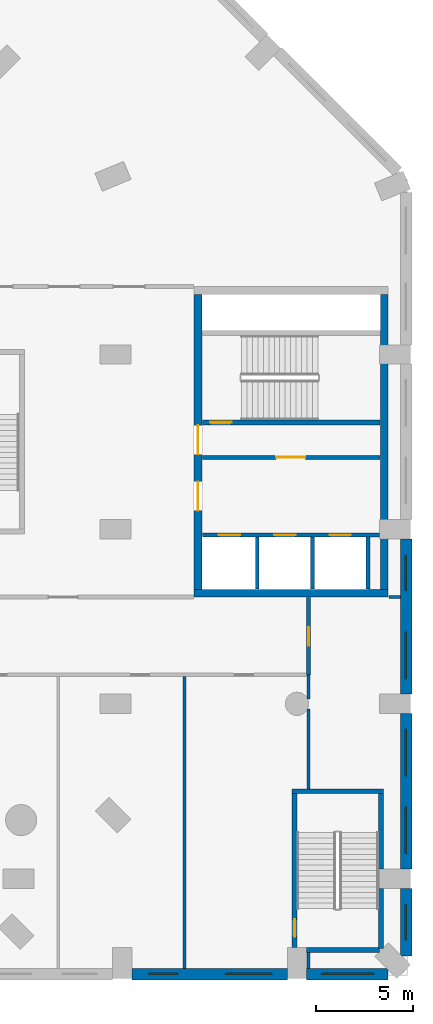
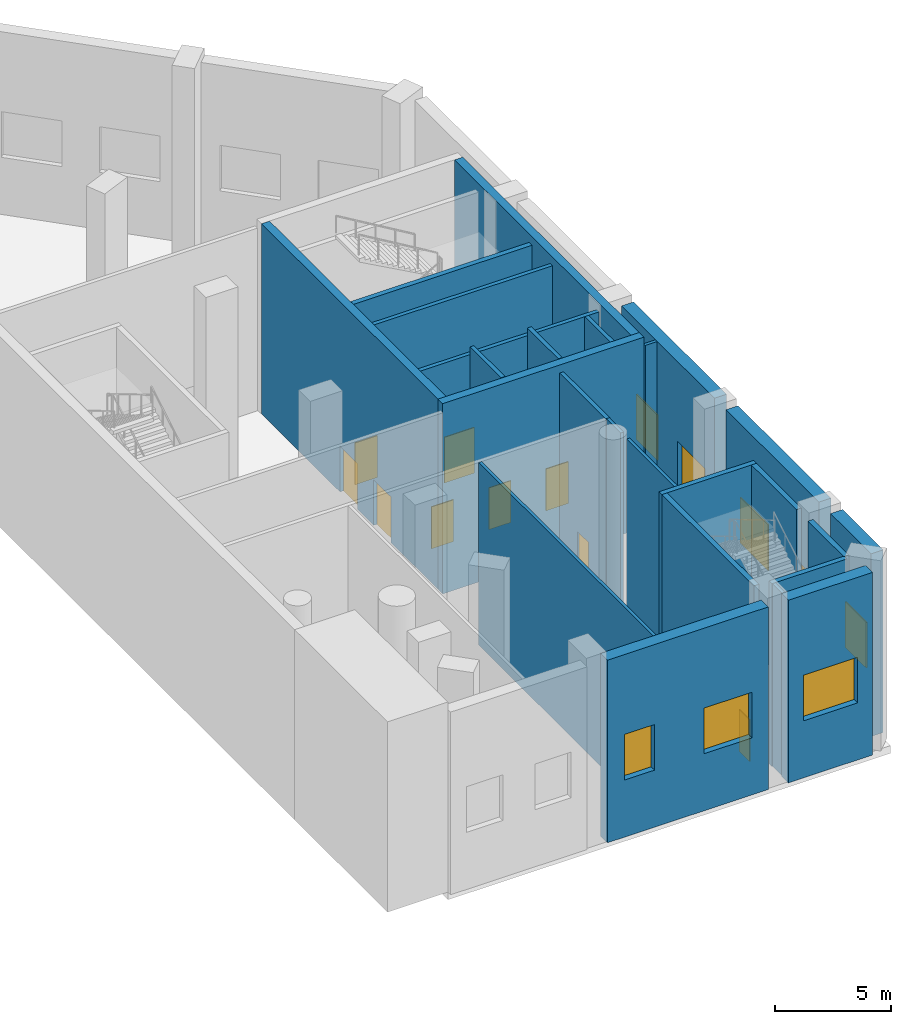
# One storey, part 8 of 17: 25 walls, 9 doors, 8 windows, 17 openings.
"""IFC4 building model written with IfcOpenShell, lengths in metres."""

from ifc_helpers import new_model, si_unit, direction, frame, frame_2d, origin, place, context, subcontext, project, spatial, rectangle, extrude, material, layer, layer_set, type_object, element, fill, save


model = new_model("IFC4")

# Units and contexts
model_context = context("Model", 3, precision=1e-05, world=origin(), true_north=direction((0.0, 1.0)))
body_context = subcontext(model_context, "Body", "Model", "MODEL_VIEW")
ifc_project = project(units=[si_unit("LENGTHUNIT", "METRE"), si_unit("AREAUNIT", "SQUARE_METRE"), si_unit("VOLUMEUNIT", "CUBIC_METRE"), si_unit("PLANEANGLEUNIT", "RADIAN"), si_unit("MASSUNIT", "GRAM", prefix="KILO")], contexts=[model_context])

# Site, building, storey
site_placement = place(None, origin())
site = spatial("IfcSite", under=ifc_project, at=site_placement, CompositionType="ELEMENT")
building_placement = place(site_placement, origin())
building = spatial("IfcBuilding", under=site, at=building_placement, Name="Cypress Arch Tower", CompositionType="ELEMENT")
storey_placement = place(building_placement, frame((0.0, 0.0, 19.0)))
storey = spatial("IfcBuildingStorey", under=building, at=storey_placement, Name="L02", CompositionType="ELEMENT", Elevation=19.0)

# Wall, openings, windows
ifc_material_1 = material(Name="Brick (red buff blend) on blockwork backing", Category="masonry")
ifc_layer_1 = layer(ifc_material_1, 0.60009765625)
ifc_layer_set_1 = layer_set([ifc_layer_1], Name="Brick base wall BW600")
wall_type_1 = type_object("IfcWallType", Name="Brick base wall BW600", PredefinedType="ELEMENTEDWALL", material=ifc_layer_set_1)
wall_1_placement = place(storey_placement, frame((24.800048828125, -27.425048828125, 0.0), z_axis=(0.0, 0.0, 1.0), x_axis=(1.0, 0.0, 0.0)))
wall_1 = element("IfcWall", 1, at=wall_1_placement, inside=storey, type_object=wall_type_1, Name="Brick wall L02 P00.3", PredefinedType="ELEMENTEDWALL", context=body_context, shape_type="SweptSolid", body=[
    extrude(rectangle(XDim=8.0, YDim=0.60009765625, at=frame_2d((4.0, 0.0))), origin(), (0.0, 0.0, 1.0), 9.60009765625),
])
opening_1_placement = place(wall_1_placement, frame((4.800048828125, 0.0, 3.0)))
opening_1 = element("IfcOpeningElement", 2, at=opening_1_placement, cuts=wall_1, Name="Opening W240P", PredefinedType="OPENING", context=body_context, shape_type="SweptSolid", body=[
    extrude(rectangle(XDim=2.39990234375, YDim=2.39990234375, at=frame_2d((1.199951171875, 1.199951171875))), frame((0.0, 0.31005859375, 0.0), z_axis=(0.0, -1.0, 0.0), x_axis=(1.0, 0.0, 0.0)), (0.0, 0.0, 1.0), 0.6201171875),
])
opening_2_placement = place(wall_1_placement, frame((0.85009765625, 0.0, 3.0)))
opening_2 = element("IfcOpeningElement", 3, at=opening_2_placement, cuts=wall_1, Name="Opening W150P", PredefinedType="OPENING", context=body_context, shape_type="SweptSolid", body=[
    extrude(rectangle(XDim=1.5, YDim=2.39990234375, at=frame_2d((0.75, 1.199951171875))), frame((0.0, 0.31005859375, 0.0), z_axis=(0.0, -1.0, 0.0), x_axis=(1.0, 0.0, 0.0)), (0.0, 0.0, 1.0), 0.6201171875),
])
ifc_material_2 = material(Name="Anodised aluminium, bronze finish, clear low-emissivity double glazing", Category="aluminium")
window_type_1 = type_object("IfcWindowType", Name="Window Podium 1500x2400", PartitioningType="SINGLE_PANEL", PredefinedType="WINDOW", material=ifc_material_2)
window_1_placement = place(opening_2_placement, origin())
window_1 = element("IfcWindow", 4, at=window_1_placement, inside=storey, type_object=window_type_1, Name="Window L02 P00.3.1", OverallHeight=2.39990234375, OverallWidth=1.5, PartitioningType="SINGLE_PANEL", PredefinedType="WINDOW", context=body_context, shape_type="SweptSolid", body=[
    extrude(rectangle(XDim=1.5, YDim=2.39990234375, at=frame_2d((0.75, 1.199951171875))), frame((0.0, 0.06005859375, 0.0), z_axis=(0.0, -1.0, 0.0), x_axis=(1.0, 0.0, 0.0)), (0.0, 0.0, 1.0), 0.06005859375),
])
fill(opening_2, window_1)
ifc_material_3 = material(Name="Anodised aluminium, bronze finish, clear low-emissivity double glazing", Category="aluminium")
window_type_2 = type_object("IfcWindowType", Name="Window Podium 2400x2400", PartitioningType="SINGLE_PANEL", PredefinedType="WINDOW", material=ifc_material_3)
window_2_placement = place(opening_1_placement, origin())
window_2 = element("IfcWindow", 5, at=window_2_placement, inside=storey, type_object=window_type_2, Name="Window L02 P00.3.2", OverallHeight=2.39990234375, OverallWidth=2.39990234375, PartitioningType="SINGLE_PANEL", PredefinedType="WINDOW", context=body_context, shape_type="SweptSolid", body=[
    extrude(rectangle(XDim=2.39990234375, YDim=2.39990234375, at=frame_2d((1.199951171875, 1.199951171875))), frame((0.0, 0.06005859375, 0.0), z_axis=(0.0, -1.0, 0.0), x_axis=(1.0, 0.0, 0.0)), (0.0, 0.0, 1.0), 0.06005859375),
])
fill(opening_1, window_2)

# Wall, opening, window
wall_2_placement = place(storey_placement, frame((33.800048828125, -27.425048828125, 0.0), z_axis=(0.0, 0.0, 1.0), x_axis=(1.0, 0.0, 0.0)))
wall_2 = element("IfcWall", 6, at=wall_2_placement, inside=storey, type_object=wall_type_1, Name="Brick wall L02 P00.4", PredefinedType="ELEMENTEDWALL", context=body_context, shape_type="SweptSolid", body=[
    extrude(rectangle(XDim=4.19287109375, YDim=0.60009765625, at=frame_2d((2.096435546875, 0.0))), origin(), (0.0, 0.0, 1.0), 9.60009765625),
])
opening_3_placement = place(wall_2_placement, frame((0.746337890625, 0.0, 3.0)))
opening_3 = element("IfcOpeningElement", 7, at=opening_3_placement, cuts=wall_2, Name="Opening W270P", PredefinedType="OPENING", context=body_context, shape_type="SweptSolid", body=[
    extrude(rectangle(XDim=2.699951171875, YDim=2.39990234375, at=frame_2d((1.35009765625, 1.199951171875))), frame((0.0, 0.31005859375, 0.0), z_axis=(0.0, -1.0, 0.0), x_axis=(1.0, 0.0, 0.0)), (0.0, 0.0, 1.0), 0.6201171875),
])
ifc_material_4 = material(Name="Anodised aluminium, bronze finish, clear low-emissivity double glazing", Category="aluminium")
window_type_3 = type_object("IfcWindowType", Name="Window Podium 2700x2400", PartitioningType="SINGLE_PANEL", PredefinedType="WINDOW", material=ifc_material_4)
window_3_placement = place(opening_3_placement, origin())
window_3 = element("IfcWindow", 8, at=window_3_placement, inside=storey, type_object=window_type_3, Name="Window L02 P00.4.1", OverallHeight=2.39990234375, OverallWidth=2.699951171875, PartitioningType="SINGLE_PANEL", PredefinedType="WINDOW", context=body_context, shape_type="SweptSolid", body=[
    extrude(rectangle(XDim=2.699951171875, YDim=2.39990234375, at=frame_2d((1.35009765625, 1.199951171875))), frame((0.0, 0.06005859375, 0.0), z_axis=(0.0, -1.0, 0.0), x_axis=(1.0, 0.0, 0.0)), (0.0, 0.0, 1.0), 0.06005859375),
])
fill(opening_3, window_3)

wall_3_placement = place(storey_placement, frame((38.925048828125, -26.492919921875, 0.0), z_axis=(0.0, 0.0, 1.0), x_axis=(0.0, 1.0, 0.0)))
wall_3 = element("IfcWall", 9, at=wall_3_placement, inside=storey, type_object=wall_type_1, Name="Brick wall L02 P01.0", PredefinedType="ELEMENTEDWALL", context=body_context, shape_type="SweptSolid", body=[
    extrude(rectangle(XDim=3.492919921875, YDim=0.60009765625, at=frame_2d((1.74658203125, 0.0))), origin(), (0.0, 0.0, 1.0), 9.60009765625),
])
opening_4_placement = place(wall_3_placement, frame((0.846435546875, 0.0, 3.0)))
opening_4 = element("IfcOpeningElement", 10, at=opening_4_placement, cuts=wall_3, Name="Opening W180P", PredefinedType="OPENING", context=body_context, shape_type="SweptSolid", body=[
    extrude(rectangle(XDim=1.800048828125, YDim=2.39990234375, at=frame_2d((0.89990234375, 1.199951171875))), frame((0.0, 0.31005859375, 0.0), z_axis=(0.0, -1.0, 0.0), x_axis=(1.0, 0.0, 0.0)), (0.0, 0.0, 1.0), 0.6201171875),
])
ifc_material_5 = material(Name="Anodised aluminium, bronze finish, clear low-emissivity double glazing", Category="aluminium")
window_type_4 = type_object("IfcWindowType", Name="Window Podium 1800x2400", PartitioningType="SINGLE_PANEL", PredefinedType="WINDOW", material=ifc_material_5)
window_4_placement = place(opening_4_placement, origin())
window_4 = element("IfcWindow", 11, at=window_4_placement, inside=storey, type_object=window_type_4, Name="Window L02 P01.0.1", OverallHeight=2.39990234375, OverallWidth=1.800048828125, PartitioningType="SINGLE_PANEL", PredefinedType="WINDOW", context=body_context, shape_type="SweptSolid", body=[
    extrude(rectangle(XDim=1.800048828125, YDim=2.39990234375, at=frame_2d((0.89990234375, 1.199951171875))), frame((0.0, 0.06005859375, 0.0), z_axis=(0.0, -1.0, 0.0), x_axis=(1.0, 0.0, 0.0)), (0.0, 0.0, 1.0), 0.06005859375),
])
fill(opening_4, window_4)

# Wall, openings, windows
wall_4_placement = place(storey_placement, frame((38.925048828125, -22.0, 0.0), z_axis=(0.0, 0.0, 1.0), x_axis=(0.0, 1.0, 0.0)))
wall_4 = element("IfcWall", 12, at=wall_4_placement, inside=storey, type_object=wall_type_1, Name="Brick wall L02 P01.1", PredefinedType="ELEMENTEDWALL", context=body_context, shape_type="SweptSolid", body=[
    extrude(rectangle(XDim=8.0, YDim=0.60009765625, at=frame_2d((4.0, 0.0))), origin(), (0.0, 0.0, 1.0), 9.60009765625),
])
opening_5_placement = place(wall_4_placement, frame((0.800048828125, 0.0, 3.0)))
opening_5 = element("IfcOpeningElement", 13, at=opening_5_placement, cuts=wall_4, Name="Opening W240P", PredefinedType="OPENING", context=body_context, shape_type="SweptSolid", body=[
    extrude(rectangle(XDim=2.39990234375, YDim=2.39990234375, at=frame_2d((1.199951171875, 1.199951171875))), frame((0.0, 0.31005859375, 0.0), z_axis=(0.0, -1.0, 0.0), x_axis=(1.0, 0.0, 0.0)), (0.0, 0.0, 1.0), 0.6201171875),
])
opening_6_placement = place(wall_4_placement, frame((4.800048828125, 0.0, 3.0)))
opening_6 = element("IfcOpeningElement", 14, at=opening_6_placement, cuts=wall_4, Name="Opening W240P", PredefinedType="OPENING", context=body_context, shape_type="SweptSolid", body=[
    extrude(rectangle(XDim=2.39990234375, YDim=2.39990234375, at=frame_2d((1.199951171875, 1.199951171875))), frame((0.0, 0.31005859375, 0.0), z_axis=(0.0, -1.0, 0.0), x_axis=(1.0, 0.0, 0.0)), (0.0, 0.0, 1.0), 0.6201171875),
])
window_5_placement = place(opening_5_placement, origin())
window_5 = element("IfcWindow", 15, at=window_5_placement, inside=storey, type_object=window_type_2, Name="Window L02 P01.1.1", OverallHeight=2.39990234375, OverallWidth=2.39990234375, PartitioningType="SINGLE_PANEL", PredefinedType="WINDOW", context=body_context, shape_type="SweptSolid", body=[
    extrude(rectangle(XDim=2.39990234375, YDim=2.39990234375, at=frame_2d((1.199951171875, 1.199951171875))), frame((0.0, 0.06005859375, 0.0), z_axis=(0.0, -1.0, 0.0), x_axis=(1.0, 0.0, 0.0)), (0.0, 0.0, 1.0), 0.06005859375),
])
fill(opening_5, window_5)
window_6_placement = place(opening_6_placement, origin())
window_6 = element("IfcWindow", 16, at=window_6_placement, inside=storey, type_object=window_type_2, Name="Window L02 P01.1.2", OverallHeight=2.39990234375, OverallWidth=2.39990234375, PartitioningType="SINGLE_PANEL", PredefinedType="WINDOW", context=body_context, shape_type="SweptSolid", body=[
    extrude(rectangle(XDim=2.39990234375, YDim=2.39990234375, at=frame_2d((1.199951171875, 1.199951171875))), frame((0.0, 0.06005859375, 0.0), z_axis=(0.0, -1.0, 0.0), x_axis=(1.0, 0.0, 0.0)), (0.0, 0.0, 1.0), 0.06005859375),
])
fill(opening_6, window_6)

wall_5_placement = place(storey_placement, frame((38.925048828125, -13.0, 0.0), z_axis=(0.0, 0.0, 1.0), x_axis=(0.0, 1.0, 0.0)))
wall_5 = element("IfcWall", 17, at=wall_5_placement, inside=storey, type_object=wall_type_1, Name="Brick wall L02 P01.2", PredefinedType="ELEMENTEDWALL", context=body_context, shape_type="SweptSolid", body=[
    extrude(rectangle(XDim=8.0, YDim=0.60009765625, at=frame_2d((4.0, 0.0))), origin(), (0.0, 0.0, 1.0), 9.60009765625),
])
opening_7_placement = place(wall_5_placement, frame((0.800048828125, 0.0, 3.0)))
opening_7 = element("IfcOpeningElement", 18, at=opening_7_placement, cuts=wall_5, Name="Opening W240P", PredefinedType="OPENING", context=body_context, shape_type="SweptSolid", body=[
    extrude(rectangle(XDim=2.39990234375, YDim=2.39990234375, at=frame_2d((1.199951171875, 1.199951171875))), frame((0.0, 0.31005859375, 0.0), z_axis=(0.0, -1.0, 0.0), x_axis=(1.0, 0.0, 0.0)), (0.0, 0.0, 1.0), 0.6201171875),
])
opening_8_placement = place(wall_5_placement, frame((5.35009765625, 0.0, 3.0)))
opening_8 = element("IfcOpeningElement", 19, at=opening_8_placement, cuts=wall_5, Name="Opening W180P", PredefinedType="OPENING", context=body_context, shape_type="SweptSolid", body=[
    extrude(rectangle(XDim=1.800048828125, YDim=2.39990234375, at=frame_2d((0.89990234375, 1.199951171875))), frame((0.0, 0.31005859375, 0.0), z_axis=(0.0, -1.0, 0.0), x_axis=(1.0, 0.0, 0.0)), (0.0, 0.0, 1.0), 0.6201171875),
])
window_7_placement = place(opening_8_placement, origin())
window_7 = element("IfcWindow", 20, at=window_7_placement, inside=storey, type_object=window_type_4, Name="Window L02 P01.2.2", OverallHeight=2.39990234375, OverallWidth=1.800048828125, PartitioningType="SINGLE_PANEL", PredefinedType="WINDOW", context=body_context, shape_type="SweptSolid", body=[
    extrude(rectangle(XDim=1.800048828125, YDim=2.39990234375, at=frame_2d((0.89990234375, 1.199951171875))), frame((0.0, 0.06005859375, 0.0), z_axis=(0.0, -1.0, 0.0), x_axis=(1.0, 0.0, 0.0)), (0.0, 0.0, 1.0), 0.06005859375),
])
fill(opening_8, window_7)
window_8_placement = place(opening_7_placement, origin())
window_8 = element("IfcWindow", 21, at=window_8_placement, inside=storey, type_object=window_type_2, Name="Window L02 P01.2.1", OverallHeight=2.39990234375, OverallWidth=2.39990234375, PartitioningType="SINGLE_PANEL", PredefinedType="WINDOW", context=body_context, shape_type="SweptSolid", body=[
    extrude(rectangle(XDim=2.39990234375, YDim=2.39990234375, at=frame_2d((1.199951171875, 1.199951171875))), frame((0.0, 0.06005859375, 0.0), z_axis=(0.0, -1.0, 0.0), x_axis=(1.0, 0.0, 0.0)), (0.0, 0.0, 1.0), 0.06005859375),
])
fill(opening_7, window_8)

# Wall, opening, door
ifc_material_6 = material(Name="Concrete blockwork, plastered, rated", Category="masonry")
ifc_layer_2 = layer(ifc_material_6, 0.199951171875)
ifc_layer_set_2 = layer_set([ifc_layer_2], Name="Corridor wall FW200")
wall_type_2 = type_object("IfcWallType", Name="Corridor wall FW200", PredefinedType="PARTITIONING", material=ifc_layer_set_2)
wall_6_placement = place(storey_placement, frame((28.429931640625, -0.800048828125, 0.0), z_axis=(0.0, 0.0, 1.0), x_axis=(1.0, 0.0, 0.0)))
wall_6 = element("IfcWall", 22, at=wall_6_placement, inside=storey, type_object=wall_type_2, Name="Corridor wall", PredefinedType="PARTITIONING", context=body_context, shape_type="SweptSolid", body=[
    extrude(rectangle(XDim=9.14013671875, YDim=0.199951171875, at=frame_2d((4.570068359375, 0.0))), origin(), (0.0, 0.0, 1.0), 9.597900390625),
])
opening_9_placement = place(wall_6_placement, frame((3.800048828125, 0.0, 0.0)))
opening_9 = element("IfcOpeningElement", 23, at=opening_9_placement, cuts=wall_6, Name="Opening D07", PredefinedType="OPENING", context=body_context, shape_type="SweptSolid", body=[
    extrude(rectangle(XDim=1.5, YDim=2.39990234375, at=frame_2d((0.75, 1.199951171875))), frame((0.0, 0.10986328125, 0.0), z_axis=(0.0, -1.0, 0.0), x_axis=(1.0, 0.0, 0.0)), (0.0, 0.0, 1.0), 0.219970703125),
])
ifc_material_7 = material(Name="Steel framed glazed door, fire resisting", Category="steel")
door_type_1 = type_object("IfcDoorType", Name="Lobby door D07 1500x2400", OperationType="DOUBLE_DOOR_SINGLE_SWING", PredefinedType="DOOR", material=ifc_material_7)
door_1_placement = place(opening_9_placement, origin())
door_1 = element("IfcDoor", 24, at=door_1_placement, inside=storey, type_object=door_type_1, Name="Lobby door", OperationType="DOUBLE_DOOR_SINGLE_SWING", OverallHeight=2.39990234375, OverallWidth=1.5, PredefinedType="DOOR", context=body_context, shape_type="SweptSolid", body=[
    extrude(rectangle(XDim=1.5, YDim=2.39990234375, at=frame_2d((0.75, 1.199951171875))), frame((0.0, 0.02490234375, 0.0), z_axis=(0.0, -1.0, 0.0), x_axis=(1.0, 0.0, 0.0)), (0.0, 0.0, 1.0), 0.050048828125),
])
fill(opening_9, door_1)

wall_7_placement = place(storey_placement, frame((33.89990234375, -12.0, 0.0), z_axis=(0.0, 0.0, 1.0), x_axis=(0.0, 1.0, 0.0)))
wall_7 = element("IfcWall", 25, at=wall_7_placement, inside=storey, type_object=wall_type_2, Name="Corridor wall", PredefinedType="PARTITIONING", context=body_context, shape_type="SweptSolid", body=[
    extrude(rectangle(XDim=3.969970703125, YDim=0.199951171875, at=frame_2d((1.98486328125, 0.0))), origin(), (0.0, 0.0, 1.0), 9.597900390625),
])
opening_10_placement = place(wall_7_placement, frame((1.5, 0.0, 0.0)))
opening_10 = element("IfcOpeningElement", 26, at=opening_10_placement, cuts=wall_7, Name="Opening D02", PredefinedType="OPENING", context=body_context, shape_type="SweptSolid", body=[
    extrude(rectangle(XDim=0.949951171875, YDim=2.199951171875, at=frame_2d((0.47509765625, 1.10009765625))), frame((0.0, 0.10986328125, 0.0), z_axis=(0.0, -1.0, 0.0), x_axis=(1.0, 0.0, 0.0)), (0.0, 0.0, 1.0), 0.219970703125),
])
ifc_material_8 = material(Name="Timber flush door, fire resisting", Category="wood")
door_type_2 = type_object("IfcDoorType", Name="Room door D02 950x2200", OperationType="SINGLE_SWING_LEFT", PredefinedType="DOOR", material=ifc_material_8)
door_2_placement = place(opening_10_placement, origin())
door_2 = element("IfcDoor", 27, at=door_2_placement, inside=storey, type_object=door_type_2, Name="Room door", OperationType="SINGLE_SWING_LEFT", OverallHeight=2.199951171875, OverallWidth=0.949951171875, PredefinedType="DOOR", context=body_context, shape_type="SweptSolid", body=[
    extrude(rectangle(XDim=0.949951171875, YDim=2.199951171875, at=frame_2d((0.47509765625, 1.10009765625))), frame((0.0, 0.02490234375, 0.0), z_axis=(0.0, -1.0, 0.0), x_axis=(1.0, 0.0, 0.0)), (0.0, 0.0, 1.0), 0.050048828125),
])
fill(opening_10, door_2)

# Walls
ifc_material_9 = material(Name="Concrete C60/75", Category="concrete")
ifc_layer_3 = layer(ifc_material_9, 0.39990234375)
ifc_layer_set_3 = layer_set([ifc_layer_3], Name="East core wall CW400 C60/75")
wall_type_3 = type_object("IfcWallType", Name="East core wall CW400 C60/75", PredefinedType="SHEAR", material=ifc_layer_set_3)
wall_8_placement = place(storey_placement, frame((28.0, -7.800048828125, 0.0), z_axis=(0.0, 0.0, 1.0), x_axis=(1.0, 0.0, 0.0)))
element("IfcWall", 28, at=wall_8_placement, inside=storey, type_object=wall_type_3, Name="East core wall", PredefinedType="SHEAR", context=body_context, shape_type="SweptSolid", body=[
    extrude(rectangle(XDim=10.0, YDim=0.39990234375, at=frame_2d((5.0, 0.0))), origin(), (0.0, 0.0, 1.0), 10.0),
])
wall_9_placement = place(storey_placement, frame((37.800048828125, -7.60009765625, 0.0), z_axis=(0.0, 0.0, 1.0), x_axis=(0.0, 1.0, 0.0)))
element("IfcWall", 29, at=wall_9_placement, inside=storey, type_object=wall_type_3, Name="East core wall", PredefinedType="SHEAR", context=body_context, shape_type="SweptSolid", body=[
    extrude(rectangle(XDim=15.2001953125, YDim=0.39990234375, at=frame_2d((7.60009765625, 0.0))), origin(), (0.0, 0.0, 1.0), 10.0),
])

# Wall, openings, doors
wall_10_placement = place(storey_placement, frame((28.199951171875, -7.60009765625, 0.0), z_axis=(0.0, 0.0, 1.0), x_axis=(0.0, 1.0, 0.0)))
wall_10 = element("IfcWall", 30, at=wall_10_placement, inside=storey, type_object=wall_type_3, Name="East core wall", PredefinedType="SHEAR", context=body_context, shape_type="SweptSolid", body=[
    extrude(rectangle(XDim=15.2001953125, YDim=0.39990234375, at=frame_2d((7.60009765625, 0.0))), origin(), (0.0, 0.0, 1.0), 10.0),
])
opening_11_placement = place(wall_10_placement, frame((4.050048828125, 0.0, 0.0)))
opening_11 = element("IfcOpeningElement", 31, at=opening_11_placement, cuts=wall_10, Name="Opening D07", PredefinedType="OPENING", context=body_context, shape_type="SweptSolid", body=[
    extrude(rectangle(XDim=1.5, YDim=2.39990234375, at=frame_2d((0.75, 1.199951171875))), frame((0.0, 0.2099609375, 0.0), z_axis=(0.0, -1.0, 0.0), x_axis=(1.0, 0.0, 0.0)), (0.0, 0.0, 1.0), 0.419921875),
])
opening_12_placement = place(wall_10_placement, frame((6.949951171875, 0.0, 0.0)))
opening_12 = element("IfcOpeningElement", 32, at=opening_12_placement, cuts=wall_10, Name="Opening D07", PredefinedType="OPENING", context=body_context, shape_type="SweptSolid", body=[
    extrude(rectangle(XDim=1.5, YDim=2.39990234375, at=frame_2d((0.75, 1.199951171875))), frame((0.0, 0.2099609375, 0.0), z_axis=(0.0, -1.0, 0.0), x_axis=(1.0, 0.0, 0.0)), (0.0, 0.0, 1.0), 0.419921875),
])
door_3_placement = place(opening_11_placement, origin())
door_3 = element("IfcDoor", 33, at=door_3_placement, inside=storey, type_object=door_type_1, Name="Lobby door", OperationType="DOUBLE_DOOR_SINGLE_SWING", OverallHeight=2.39990234375, OverallWidth=1.5, PredefinedType="DOOR", context=body_context, shape_type="SweptSolid", body=[
    extrude(rectangle(XDim=1.5, YDim=2.39990234375, at=frame_2d((0.75, 1.199951171875))), frame((0.0, 0.02490234375, 0.0), z_axis=(0.0, -1.0, 0.0), x_axis=(1.0, 0.0, 0.0)), (0.0, 0.0, 1.0), 0.050048828125),
])
fill(opening_11, door_3)
door_4_placement = place(opening_12_placement, origin())
door_4 = element("IfcDoor", 34, at=door_4_placement, inside=storey, type_object=door_type_1, Name="Lobby door", OperationType="DOUBLE_DOOR_SINGLE_SWING", OverallHeight=2.39990234375, OverallWidth=1.5, PredefinedType="DOOR", context=body_context, shape_type="SweptSolid", body=[
    extrude(rectangle(XDim=1.5, YDim=2.39990234375, at=frame_2d((0.75, 1.199951171875))), frame((0.0, 0.02490234375, 0.0), z_axis=(0.0, -1.0, 0.0), x_axis=(1.0, 0.0, 0.0)), (0.0, 0.0, 1.0), 0.050048828125),
])
fill(opening_12, door_4)

# Walls
ifc_material_10 = material(Name="Blockwork, plastered both sides", Category="masonry")
ifc_layer_4 = layer(ifc_material_10, 0.14990234375)
ifc_layer_set_4 = layer_set([ifc_layer_4], Name="Partition PW150")
wall_type_4 = type_object("IfcWallType", Name="Partition PW150", PredefinedType="PARTITIONING", material=ifc_layer_set_4)
wall_11_placement = place(storey_placement, frame((27.5, -27.125, 0.0), z_axis=(0.0, 0.0, 1.0), x_axis=(0.0, 1.0, 0.0)))
element("IfcWall", 35, at=wall_11_placement, inside=storey, type_object=wall_type_4, Name="Partition", PredefinedType="PARTITIONING", context=body_context, shape_type="SweptSolid", body=[
    extrude(rectangle(XDim=15.02490234375, YDim=0.14990234375, at=frame_2d((7.512451171875, 0.0))), origin(), (0.0, 0.0, 1.0), 9.597900390625),
])
wall_12_placement = place(storey_placement, frame((33.89990234375, -27.125, 0.0), z_axis=(0.0, 0.0, 1.0), x_axis=(0.0, 1.0, 0.0)))
element("IfcWall", 36, at=wall_12_placement, inside=storey, type_object=wall_type_4, Name="Partition", PredefinedType="PARTITIONING", context=body_context, shape_type="SweptSolid", body=[
    extrude(rectangle(XDim=0.824951171875, YDim=0.14990234375, at=frame_2d((0.41259765625, 0.0))), origin(), (0.0, 0.0, 1.0), 9.597900390625),
])
wall_13_placement = place(storey_placement, frame((33.89990234375, -17.8798828125, 0.0), z_axis=(0.0, 0.0, 1.0), x_axis=(0.0, 1.0, 0.0)))
element("IfcWall", 37, at=wall_13_placement, inside=storey, type_object=wall_type_4, Name="Partition", PredefinedType="PARTITIONING", context=body_context, shape_type="SweptSolid", body=[
    extrude(rectangle(XDim=4.119873046875, YDim=0.14990234375, at=frame_2d((2.06005859375, 0.0))), origin(), (0.0, 0.0, 1.0), 9.597900390625),
])
wall_14_placement = place(storey_placement, frame((33.89990234375, -13.239990234375, 0.0), z_axis=(0.0, 0.0, 1.0), x_axis=(0.0, 1.0, 0.0)))
element("IfcWall", 38, at=wall_14_placement, inside=storey, type_object=wall_type_4, Name="Partition", PredefinedType="PARTITIONING", context=body_context, shape_type="SweptSolid", body=[
    extrude(rectangle(XDim=1.239990234375, YDim=0.14990234375, at=frame_2d((0.6201171875, 0.0))), origin(), (0.0, 0.0, 1.0), 9.597900390625),
])
wall_15_placement = place(storey_placement, frame((38.030029296875, -8.0, 0.0), z_axis=(0.0, 0.0, 1.0), x_axis=(1.0, 0.0, 0.0)))
element("IfcWall", 39, at=wall_15_placement, inside=storey, type_object=wall_type_4, Name="Partition", PredefinedType="PARTITIONING", context=body_context, shape_type="SweptSolid", body=[
    extrude(rectangle(XDim=0.594970703125, YDim=0.14990234375, at=frame_2d((0.29736328125, 0.0))), origin(), (0.0, 0.0, 1.0), 9.597900390625),
])

# Wall, openings, doors
ifc_material_11 = material(Name="Concrete C50/60", Category="concrete")
ifc_layer_5 = layer(ifc_material_11, 0.199951171875)
ifc_layer_set_5 = layer_set([ifc_layer_5], Name="Shaft wall SH200")
wall_type_5 = type_object("IfcWallType", Name="Shaft wall SH200", PredefinedType="SHEAR", material=ifc_layer_set_5)
wall_16_placement = place(storey_placement, frame((28.429931640625, -4.800048828125, 0.0), z_axis=(0.0, 0.0, 1.0), x_axis=(1.0, 0.0, 0.0)))
wall_16 = element("IfcWall", 40, at=wall_16_placement, inside=storey, type_object=wall_type_5, Name="Shaft wall", PredefinedType="SHEAR", context=body_context, shape_type="SweptSolid", body=[
    extrude(rectangle(XDim=9.130126953125, YDim=0.199951171875, at=frame_2d((4.56494140625, 0.0))), origin(), (0.0, 0.0, 1.0), 9.597900390625),
])
opening_13_placement = place(wall_16_placement, frame((0.85009765625, 0.0, 0.0)))
opening_13 = element("IfcOpeningElement", 41, at=opening_13_placement, cuts=wall_16, Name="Opening LD-EW1", PredefinedType="OPENING", context=body_context, shape_type="SweptSolid", body=[
    extrude(rectangle(XDim=1.10009765625, YDim=2.199951171875, at=frame_2d((0.550048828125, 1.10009765625))), frame((0.0, 0.10986328125, 0.0), z_axis=(0.0, -1.0, 0.0), x_axis=(1.0, 0.0, 0.0)), (0.0, 0.0, 1.0), 0.219970703125),
])
opening_14_placement = place(wall_16_placement, frame((3.699951171875, 0.0, 0.0)))
opening_14 = element("IfcOpeningElement", 42, at=opening_14_placement, cuts=wall_16, Name="Opening LD-EW2", PredefinedType="OPENING", context=body_context, shape_type="SweptSolid", body=[
    extrude(rectangle(XDim=1.10009765625, YDim=2.199951171875, at=frame_2d((0.550048828125, 1.10009765625))), frame((0.0, 0.10986328125, 0.0), z_axis=(0.0, -1.0, 0.0), x_axis=(1.0, 0.0, 0.0)), (0.0, 0.0, 1.0), 0.219970703125),
])
opening_15_placement = place(wall_16_placement, frame((6.550048828125, 0.0, 0.0)))
opening_15 = element("IfcOpeningElement", 43, at=opening_15_placement, cuts=wall_16, Name="Opening LD-EWS", PredefinedType="OPENING", context=body_context, shape_type="SweptSolid", body=[
    extrude(rectangle(XDim=1.10009765625, YDim=2.199951171875, at=frame_2d((0.550048828125, 1.10009765625))), frame((0.0, 0.10986328125, 0.0), z_axis=(0.0, -1.0, 0.0), x_axis=(1.0, 0.0, 0.0)), (0.0, 0.0, 1.0), 0.219970703125),
])
ifc_material_12 = material(Name="Stainless steel centre-opening landing door, rated", Category="steel")
door_type_3 = type_object("IfcDoorType", Name="Lift landing door LD 1100x2200", OperationType="DOUBLE_DOOR_SLIDING", PredefinedType="DOOR", material=ifc_material_12)
door_5_placement = place(opening_13_placement, origin())
door_5 = element("IfcDoor", 44, at=door_5_placement, inside=storey, type_object=door_type_3, Name="Lift landing doors EW1", OperationType="DOUBLE_DOOR_SLIDING", OverallHeight=2.199951171875, OverallWidth=1.10009765625, PredefinedType="DOOR", context=body_context, shape_type="SweptSolid", body=[
    extrude(rectangle(XDim=1.10009765625, YDim=2.199951171875, at=frame_2d((0.550048828125, 1.10009765625))), frame((0.0, 0.02490234375, 0.0), z_axis=(0.0, -1.0, 0.0), x_axis=(1.0, 0.0, 0.0)), (0.0, 0.0, 1.0), 0.050048828125),
])
fill(opening_13, door_5)
door_6_placement = place(opening_14_placement, origin())
door_6 = element("IfcDoor", 45, at=door_6_placement, inside=storey, type_object=door_type_3, Name="Lift landing doors EW2", OperationType="DOUBLE_DOOR_SLIDING", OverallHeight=2.199951171875, OverallWidth=1.10009765625, PredefinedType="DOOR", context=body_context, shape_type="SweptSolid", body=[
    extrude(rectangle(XDim=1.10009765625, YDim=2.199951171875, at=frame_2d((0.550048828125, 1.10009765625))), frame((0.0, 0.02490234375, 0.0), z_axis=(0.0, -1.0, 0.0), x_axis=(1.0, 0.0, 0.0)), (0.0, 0.0, 1.0), 0.050048828125),
])
fill(opening_14, door_6)
door_7_placement = place(opening_15_placement, origin())
door_7 = element("IfcDoor", 46, at=door_7_placement, inside=storey, type_object=door_type_3, Name="Lift landing doors EWS", OperationType="DOUBLE_DOOR_SLIDING", OverallHeight=2.199951171875, OverallWidth=1.10009765625, PredefinedType="DOOR", context=body_context, shape_type="SweptSolid", body=[
    extrude(rectangle(XDim=1.10009765625, YDim=2.199951171875, at=frame_2d((0.550048828125, 1.10009765625))), frame((0.0, 0.02490234375, 0.0), z_axis=(0.0, -1.0, 0.0), x_axis=(1.0, 0.0, 0.0)), (0.0, 0.0, 1.0), 0.050048828125),
])
fill(opening_15, door_7)

# Walls
for number, where, z_axis, x_axis, name in (
    (47, (31.25, -7.570068359375, 0.0), (0.0, 0.0, 1.0), (0.0, 1.0, 0.0), "Shaft wall"),
    (48, (34.10009765625, -7.570068359375, 0.0), (0.0, 0.0, 1.0), (0.0, 1.0, 0.0), "Shaft wall"),
):
    element("IfcWall", number, at=place(storey_placement, frame(where, z_axis=z_axis, x_axis=x_axis)), inside=storey, type_object=wall_type_5, Name=name, PredefinedType="SHEAR", context=body_context, shape_type="SweptSolid", body=[
        extrude(rectangle(XDim=2.670166015625, YDim=0.199951171875, at=frame_2d((1.3349609375, 0.0))), origin(), (0.0, 0.0, 1.0), 10.0),
    ])
wall_17_placement = place(storey_placement, frame((36.949951171875, -7.570068359375, 0.0), z_axis=(0.0, 0.0, 1.0), x_axis=(0.0, 1.0, 0.0)))
element("IfcWall", 49, at=wall_17_placement, inside=storey, type_object=wall_type_5, Name="Shaft wall", PredefinedType="SHEAR", context=body_context, shape_type="SweptSolid", body=[
    extrude(rectangle(XDim=2.670166015625, YDim=0.199951171875, at=frame_2d((1.3349609375, 0.0))), origin(), (0.0, 0.0, 1.0), 9.597900390625),
])

# Wall, opening, door
ifc_material_13 = material(Name="Concrete C50/60", Category="concrete")
ifc_layer_6 = layer(ifc_material_13, 0.25)
ifc_layer_set_6 = layer_set([ifc_layer_6], Name="Stair enclosure wall SW250")
wall_type_6 = type_object("IfcWallType", Name="Stair enclosure wall SW250", PredefinedType="SHEAR", material=ifc_layer_set_6)
wall_18_placement = place(storey_placement, frame((28.429931640625, 1.0, 0.0), z_axis=(0.0, 0.0, 1.0), x_axis=(1.0, 0.0, 0.0)))
wall_18 = element("IfcWall", 50, at=wall_18_placement, inside=storey, type_object=wall_type_6, Name="Stair enclosure wall", PredefinedType="SHEAR", context=body_context, shape_type="SweptSolid", body=[
    extrude(rectangle(XDim=9.14013671875, YDim=0.25, at=frame_2d((4.570068359375, 0.0))), origin(), (0.0, 0.0, 1.0), 9.597900390625),
])
opening_16_placement = place(wall_18_placement, frame((0.39990234375, 0.0, 0.0)))
opening_16 = element("IfcOpeningElement", 51, at=opening_16_placement, cuts=wall_18, Name="Opening D06", PredefinedType="OPENING", context=body_context, shape_type="SweptSolid", body=[
    extrude(rectangle(XDim=1.10009765625, YDim=2.199951171875, at=frame_2d((0.550048828125, 1.10009765625))), frame((0.0, 0.135009765625, 0.0), z_axis=(0.0, -1.0, 0.0), x_axis=(1.0, 0.0, 0.0)), (0.0, 0.0, 1.0), 0.27001953125),
])
ifc_material_14 = material(Name="Steel door, fire resisting, panic bar", Category="steel")
door_type_4 = type_object("IfcDoorType", Name="Stair door D06 1100x2200", OperationType="SINGLE_SWING_LEFT", PredefinedType="DOOR", material=ifc_material_14)
door_8_placement = place(opening_16_placement, origin())
door_8 = element("IfcDoor", 52, at=door_8_placement, inside=storey, type_object=door_type_4, Name="Stair door", OperationType="SINGLE_SWING_LEFT", OverallHeight=2.199951171875, OverallWidth=1.10009765625, PredefinedType="DOOR", context=body_context, shape_type="SweptSolid", body=[
    extrude(rectangle(XDim=1.10009765625, YDim=2.199951171875, at=frame_2d((0.550048828125, 1.10009765625))), frame((0.0, 0.02490234375, 0.0), z_axis=(0.0, -1.0, 0.0), x_axis=(1.0, 0.0, 0.0)), (0.0, 0.0, 1.0), 0.050048828125),
])
fill(opening_16, door_8)

wall_19_placement = place(storey_placement, frame((33.175048828125, -26.050048828125, 0.0), z_axis=(0.0, 0.0, 1.0), x_axis=(0.0, 1.0, 0.0)))
wall_19 = element("IfcWall", 53, at=wall_19_placement, inside=storey, type_object=wall_type_6, Name="Stair enclosure wall", PredefinedType="SHEAR", context=body_context, shape_type="SweptSolid", body=[
    extrude(rectangle(XDim=7.920166015625, YDim=0.25, at=frame_2d((3.9599609375, 0.0))), origin(), (0.0, 0.0, 1.0), 9.60009765625),
])
opening_17_placement = place(wall_19_placement, frame((0.550048828125, 0.0, 0.0)))
opening_17 = element("IfcOpeningElement", 54, at=opening_17_placement, cuts=wall_19, Name="Opening D15", PredefinedType="OPENING", context=body_context, shape_type="SweptSolid", body=[
    extrude(rectangle(XDim=0.89990234375, YDim=2.199951171875, at=frame_2d((0.449951171875, 1.10009765625))), frame((0.0, 0.135009765625, 0.0), z_axis=(0.0, -1.0, 0.0), x_axis=(1.0, 0.0, 0.0)), (0.0, 0.0, 1.0), 0.27001953125),
])
ifc_material_15 = material(Name="Steel door, fire resisting, panic bar", Category="steel")
door_type_5 = type_object("IfcDoorType", Name="Stair door D15 900x2200", OperationType="SINGLE_SWING_LEFT", PredefinedType="DOOR", material=ifc_material_15)
door_9_placement = place(opening_17_placement, origin())
door_9 = element("IfcDoor", 55, at=door_9_placement, inside=storey, type_object=door_type_5, Name="Stair door", OperationType="SINGLE_SWING_RIGHT", OverallHeight=2.199951171875, OverallWidth=0.89990234375, PredefinedType="DOOR", context=body_context, shape_type="SweptSolid", body=[
    extrude(rectangle(XDim=0.89990234375, YDim=2.199951171875, at=frame_2d((0.449951171875, 1.10009765625))), frame((0.0, 0.02490234375, 0.0), z_axis=(0.0, -1.0, 0.0), x_axis=(1.0, 0.0, 0.0)), (0.0, 0.0, 1.0), 0.050048828125),
])
fill(opening_17, door_9)

# Walls
wall_20_placement = place(storey_placement, frame((33.800048828125, -26.175048828125, 0.0), z_axis=(0.0, 0.0, 1.0), x_axis=(1.0, 0.0, 0.0)))
element("IfcWall", 56, at=wall_20_placement, inside=storey, type_object=wall_type_6, Name="Stair enclosure wall", PredefinedType="SHEAR", context=body_context, shape_type="SweptSolid", body=[
    extrude(rectangle(XDim=3.7451171875, YDim=0.25, at=frame_2d((1.87255859375, 0.0))), origin(), (0.0, 0.0, 1.0), 9.60009765625),
])
wall_21_placement = place(storey_placement, frame((33.050048828125, -18.0048828125, 0.0), z_axis=(0.0, 0.0, 1.0), x_axis=(1.0, 0.0, 0.0)))
element("IfcWall", 57, at=wall_21_placement, inside=storey, type_object=wall_type_6, Name="Stair enclosure wall", PredefinedType="SHEAR", context=body_context, shape_type="SweptSolid", body=[
    extrude(rectangle(XDim=4.699951171875, YDim=0.25, at=frame_2d((2.35009765625, 0.0))), origin(), (0.0, 0.0, 1.0), 9.60009765625),
])
wall_22_placement = place(storey_placement, frame((37.625, -26.09521484375, 0.0), z_axis=(0.0, 0.0, 1.0), x_axis=(0.0, 1.0, 0.0)))
element("IfcWall", 58, at=wall_22_placement, inside=storey, type_object=wall_type_6, Name="Stair enclosure wall", PredefinedType="SHEAR", context=body_context, shape_type="SweptSolid", body=[
    extrude(rectangle(XDim=3.09521484375, YDim=0.25, at=frame_2d((1.547607421875, 0.0))), origin(), (0.0, 0.0, 1.0), 9.60009765625),
])
wall_23_placement = place(storey_placement, frame((37.625, -22.0, 0.0), z_axis=(0.0, 0.0, 1.0), x_axis=(0.0, 1.0, 0.0)))
element("IfcWall", 59, at=wall_23_placement, inside=storey, type_object=wall_type_6, Name="Stair enclosure wall", PredefinedType="SHEAR", context=body_context, shape_type="SweptSolid", body=[
    extrude(rectangle(XDim=3.8701171875, YDim=0.25, at=frame_2d((1.93505859375, 0.0))), origin(), (0.0, 0.0, 1.0), 9.60009765625),
])

save(model, "model.ifc")
